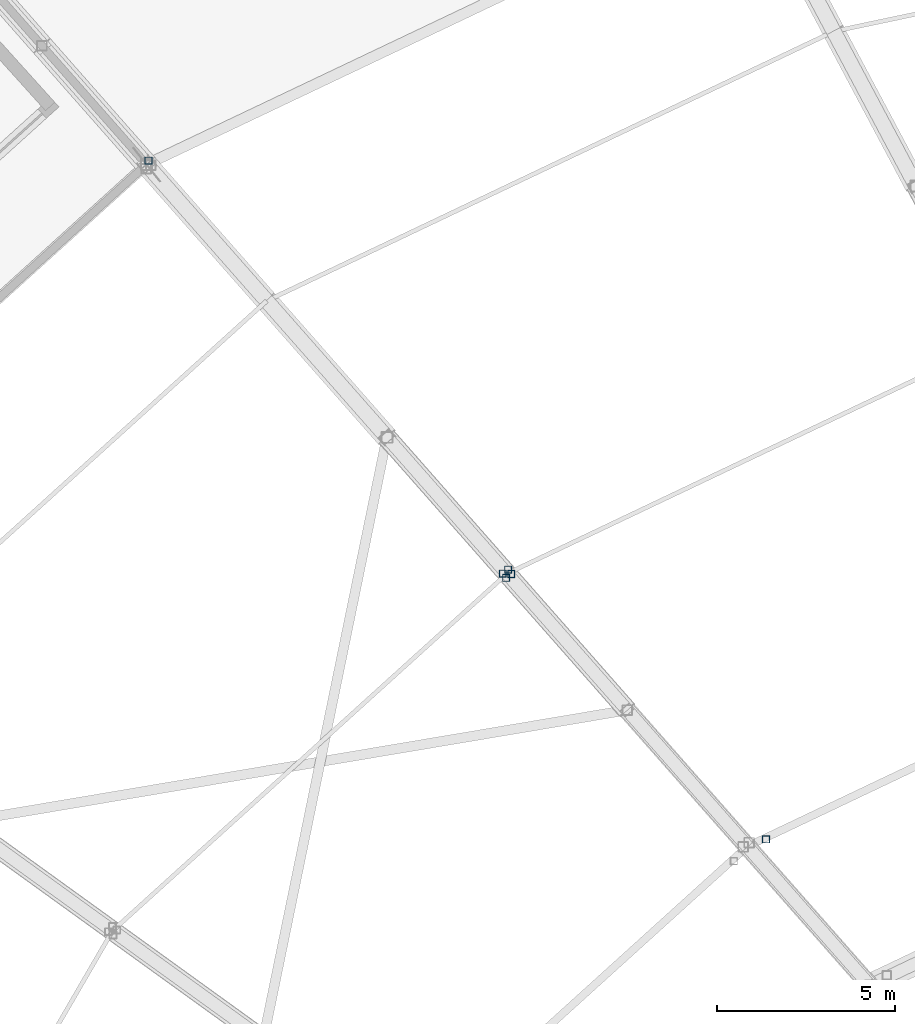
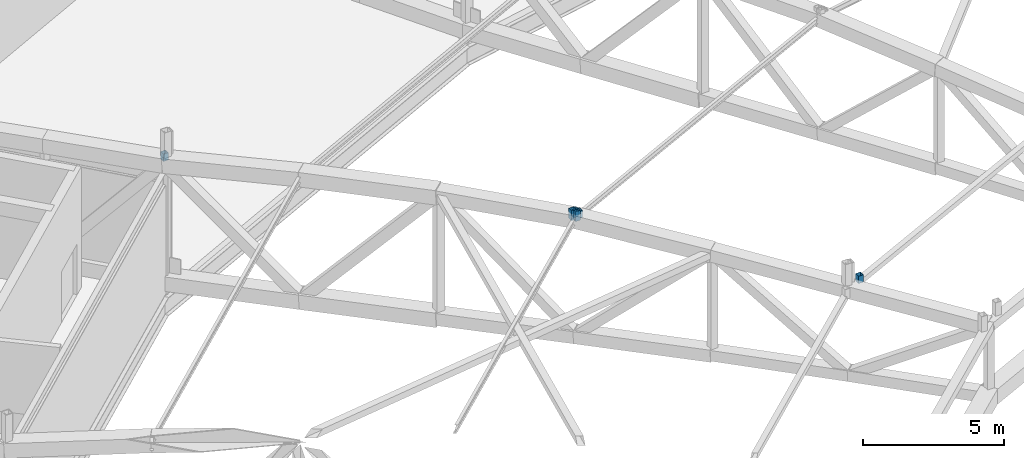
# One storey, part 126 of 162: 6 members.
"""IFC4 building model written with IfcOpenShell, lengths in metres."""

from ifc_helpers import new_model, si_unit, direction, frame, origin, origin_2d, place, context, subcontext, project, spatial, hollow_rectangle, extrude, material, material_profile, profile_set, type_object, element, save


model = new_model("IFC4")

# Units and contexts
model_context = context("Model", 3, precision=1e-05, world=origin(), true_north=direction((0.0, 1.0)))
body_context = subcontext(model_context, "Body", "Model", "MODEL_VIEW")
ifc_project = project(units=[si_unit("LENGTHUNIT", "METRE"), si_unit("AREAUNIT", "SQUARE_METRE"), si_unit("VOLUMEUNIT", "CUBIC_METRE"), si_unit("PLANEANGLEUNIT", "RADIAN"), si_unit("MASSUNIT", "GRAM", prefix="KILO")], contexts=[model_context])

# Site, building, storey
site_placement = place(None, origin())
site = spatial("IfcSite", under=ifc_project, at=site_placement, CompositionType="ELEMENT")
building_placement = place(site_placement, origin())
building = spatial("IfcBuilding", under=site, at=building_placement, Name="Kazemori Nagisa Stadium", CompositionType="ELEMENT")
storey_placement = place(building_placement, frame((0.0, 0.0, 36.719970703125)))
storey = spatial("IfcBuildingStorey", under=building, at=storey_placement, Name="RF", CompositionType="ELEMENT", Elevation=36.719970703125)

# Members
ifc_material = material(Name="Steel STKR490", Category="steel")
ifc_material_profile = material_profile(ifc_material, hollow_rectangle(XDim=0.199951171875, YDim=0.199951171875, WallThickness=0.009033203125, at=origin_2d()), Name="SHS-200x200x9")
ifc_profile_set = profile_set([ifc_material_profile], Name="Steel STKR490")
member_type = type_object("IfcMemberType", Name="Member_TS-SHS200", PredefinedType="STRUT", material=ifc_profile_set)
for number, where, z_axis, x_axis, name in (
    (1, (69.220703125, 163.21728515625, 5.56005859375), (0.0, 0.0, 1.0), (1.0, 0.0, 0.0), "Canopy bearing stool B10-outer-3"),
    (2, (79.3388671875, 151.714599609375, 6.55712890625), (0.0, 0.0, 1.0), (1.0, 0.0, 0.0), "Canopy bearing stool B10-mid-3"),
    (3, (79.42626953125, 151.58935546875, 6.55712890625), (0.0, 0.0, 1.0), (1.0, 0.0, 0.0), "Canopy bearing stool B10-inner-2"),
):
    element("IfcMember", number, at=place(storey_placement, frame(where, z_axis=z_axis, x_axis=x_axis)), inside=storey, type_object=member_type, Name=name, PredefinedType="STRUT", context=body_context, shape_type="SweptSolid", body=[
        extrude(hollow_rectangle(XDim=0.199951171875, YDim=0.199951171875, WallThickness=0.009033203125, at=origin_2d()), origin(), (0.0, 0.0, 1.0), 0.31494140625),
    ])
member_placement = place(storey_placement, frame((86.59326171875, 144.126708984375, 5.784912109375), z_axis=(0.0, 0.0, 1.0), x_axis=(1.0, 0.0, 0.0)))
element("IfcMember", 4, at=member_placement, inside=storey, type_object=member_type, Name="Oculus skylight bearing stool B10-3", PredefinedType="STRUT", context=body_context, shape_type="SweptSolid", body=[
    extrude(hollow_rectangle(XDim=0.199951171875, YDim=0.199951171875, WallThickness=0.009033203125, at=origin_2d()), origin(), (0.0, 0.0, 1.0), 0.315185546875),
])
for number, where, z_axis, x_axis, name in (
    (5, (79.1865234375, 151.600830078125, 6.55712890625), (0.0, 0.0, 1.0), (1.0, 0.0, 0.0), "Canopy bearing stool B11-mid-4"),
    (6, (79.282470703125, 151.481689453125, 6.55712890625), (0.0, 0.0, 1.0), (1.0, 0.0, 0.0), "Canopy bearing stool B11-inner-1"),
):
    element("IfcMember", number, at=place(storey_placement, frame(where, z_axis=z_axis, x_axis=x_axis)), inside=storey, type_object=member_type, Name=name, PredefinedType="STRUT", context=body_context, shape_type="SweptSolid", body=[
        extrude(hollow_rectangle(XDim=0.199951171875, YDim=0.199951171875, WallThickness=0.009033203125, at=origin_2d()), origin(), (0.0, 0.0, 1.0), 0.429931640625),
    ])

save(model, "model.ifc")
